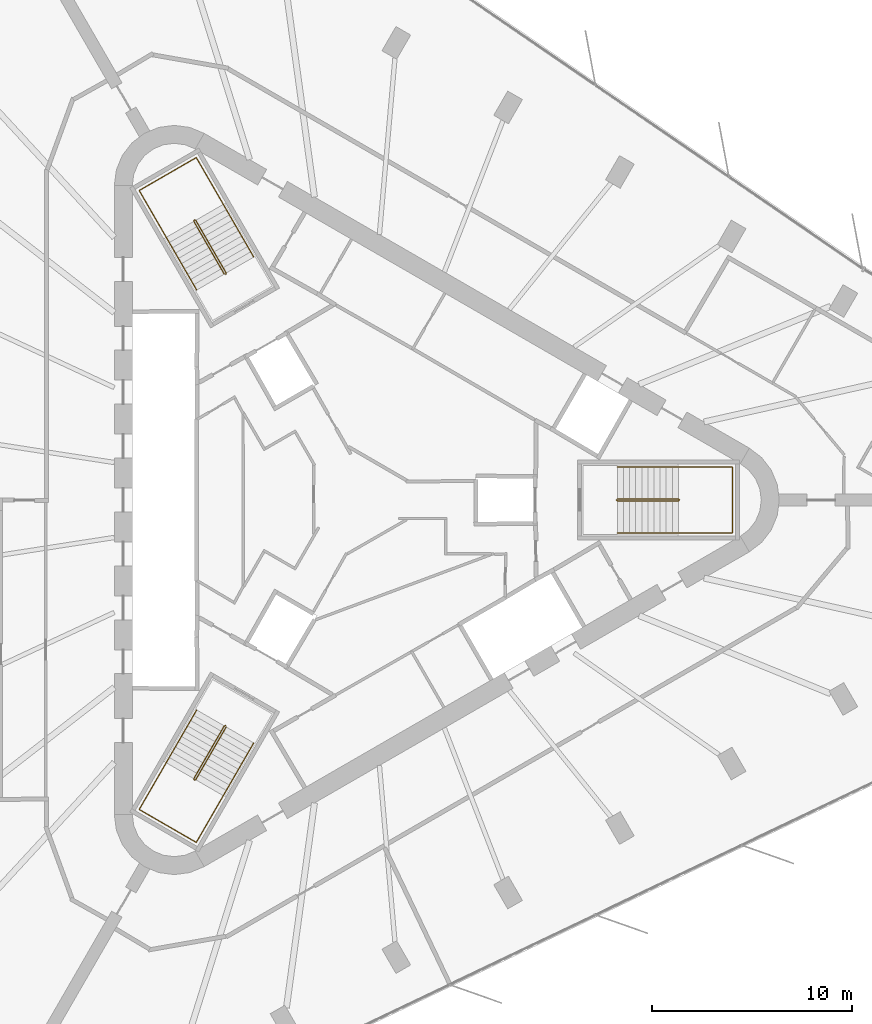
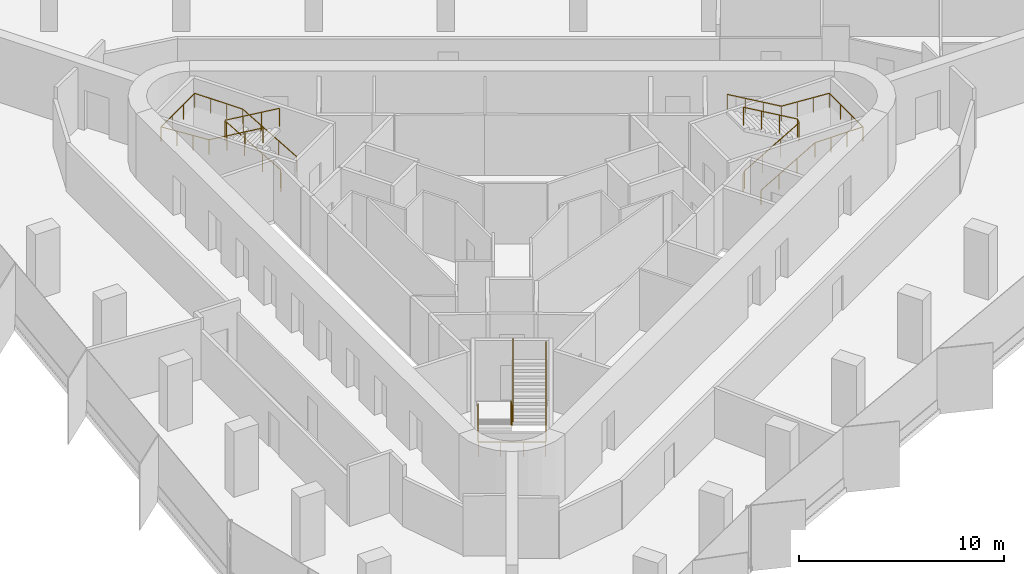
# One storey, part 14 of 14: 6 railings.
"""IFC4 building model written with IfcOpenShell, lengths in metres."""

from ifc_helpers import new_model, si_unit, direction, frame, origin, origin_2d, place, context, subcontext, project, spatial, circle, extrude, material, type_object, element, save


model = new_model("IFC4")

# Units and contexts
model_context = context("Model", 3, precision=1e-05, world=origin(), true_north=direction((0.0, 1.0)))
body_context = subcontext(model_context, "Body", "Model", "MODEL_VIEW")
ifc_project = project(units=[si_unit("LENGTHUNIT", "METRE"), si_unit("AREAUNIT", "SQUARE_METRE"), si_unit("VOLUMEUNIT", "CUBIC_METRE"), si_unit("PLANEANGLEUNIT", "RADIAN"), si_unit("MASSUNIT", "GRAM", prefix="KILO")], contexts=[model_context])

# Site, building, storey
site_placement = place(None, origin())
site = spatial("IfcSite", under=ifc_project, at=site_placement, CompositionType="ELEMENT")
building_placement = place(site_placement, origin())
building = spatial("IfcBuilding", under=site, at=building_placement, Name="Tanit Gate Tower", CompositionType="ELEMENT")
storey_placement = place(building_placement, frame((0.0, 0.0, 306.5)))
storey = spatial("IfcBuildingStorey", under=building, at=storey_placement, Name="L68", CompositionType="ELEMENT", Elevation=306.5)

# Railings
ifc_material_1 = material(Name="Stainless steel balustrade", Category="steel")
railing_type_1 = type_object("IfcRailingType", Name="INT-STAIR-GUARD", PredefinedType="GUARDRAIL", material=ifc_material_1)
railing_1_placement = place(storey_placement, frame((13.044921875, 0.0048828125, 0.0)))
element("IfcRailing", 1, at=railing_1_placement, inside=storey, type_object=railing_type_1, Name="L68 S1 stair guard 1", PredefinedType="GUARDRAIL", context=body_context, shape_type="SweptSolid", body=[
    extrude(circle(Radius=0.02392578125, at=origin_2d()), frame((0.0, 0.0, 1.076171875), z_axis=(0.0, -1.0, 0.0), x_axis=(1.0, 0.0, 0.0)), (0.0, 0.0, 1.0), 0.009765625),
    extrude(circle(Radius=0.02392578125, at=origin_2d()), frame((0.0, -0.009765625, 1.076171875), z_axis=(0.262233686654, -0.262233686654, 0.928691007369), x_axis=(0.707106781187, 0.707106781187, 0.0)), (0.0, 0.0, 1.0), 0.19091796875),
    extrude(circle(Radius=0.02392578125, at=origin_2d()), frame((0.050048828125, -0.059814453125, 1.25341796875), z_axis=(0.864648382064, 0.0, 0.502377522779), x_axis=(0.0, 1.0, 0.0)), (0.0, 0.0, 1.0), 3.528564453125),
    extrude(circle(Radius=0.02392578125, at=origin_2d()), frame((3.10107421875, -0.059814453125, 3.02587890625), z_axis=(0.707106781187, 0.707106781187, 0.0), x_axis=(-0.707106781187, 0.707106781187, 0.0)), (0.0, 0.0, 1.0), 0.07080078125),
    extrude(circle(Radius=0.02392578125, at=origin_2d()), frame((3.151123046875, -0.009765625, 3.02587890625), z_axis=(0.0, 1.0, 0.0), x_axis=(-1.0, 0.0, 0.0)), (0.0, 0.0, 1.0), 0.009765625),
    extrude(circle(Radius=0.02392578125, at=origin_2d()), frame((3.151123046875, 0.0, 3.02587890625), z_axis=(-0.262233686654, 0.262233686654, 0.928691007369), x_axis=(-0.707106781187, -0.707106781187, 0.0)), (0.0, 0.0, 1.0), 0.19091796875),
    extrude(circle(Radius=0.02392578125, at=origin_2d()), frame((3.10107421875, 0.050048828125, 3.203125), z_axis=(-0.864648382064, 0.0, 0.502377522779), x_axis=(0.0, -1.0, 0.0)), (0.0, 0.0, 1.0), 3.528564453125),
    extrude(circle(Radius=0.02099609375, at=origin_2d()), origin(), (0.0, 0.0, 1.0), 1.052001953125),
    extrude(circle(Radius=0.02099609375, at=origin_2d()), frame((0.0, -0.009765625, 0.0)), (0.0, 0.0, 1.0), 1.052001953125),
    extrude(circle(Radius=0.02099609375, at=origin_2d()), frame((0.050048828125, -0.059814453125, 0.17724609375)), (0.0, 0.0, 1.0), 1.052001953125),
    extrude(circle(Radius=0.02099609375, at=origin_2d()), frame((1.067138671875, -0.059814453125, 0.76806640625)), (0.0, 0.0, 1.0), 1.052001953125),
    extrude(circle(Radius=0.02099609375, at=origin_2d()), frame((2.083984375, -0.059814453125, 1.359130859375)), (0.0, 0.0, 1.0), 1.052001953125),
    extrude(circle(Radius=0.02099609375, at=origin_2d()), frame((3.10107421875, -0.059814453125, 1.949951171875)), (0.0, 0.0, 1.0), 1.052001953125),
    extrude(circle(Radius=0.02099609375, at=origin_2d()), frame((3.151123046875, -0.009765625, 1.949951171875)), (0.0, 0.0, 1.0), 1.052001953125),
    extrude(circle(Radius=0.02099609375, at=origin_2d()), frame((3.151123046875, 0.0, 1.949951171875)), (0.0, 0.0, 1.0), 1.052001953125),
    extrude(circle(Radius=0.02099609375, at=origin_2d()), frame((3.10107421875, 0.050048828125, 2.127197265625)), (0.0, 0.0, 1.0), 1.052001953125),
    extrude(circle(Radius=0.02099609375, at=origin_2d()), frame((2.083984375, 0.050048828125, 2.718017578125)), (0.0, 0.0, 1.0), 1.052001953125),
    extrude(circle(Radius=0.02099609375, at=origin_2d()), frame((1.067138671875, 0.050048828125, 3.30908203125)), (0.0, 0.0, 1.0), 1.052001953125),
    extrude(circle(Radius=0.02099609375, at=origin_2d()), frame((0.050048828125, 0.050048828125, 3.89990234375)), (0.0, 0.0, 1.0), 1.052001953125),
])
railing_2_placement = place(storey_placement, frame((-6.527099609375, 11.29345703125, 0.0)))
element("IfcRailing", 2, at=railing_2_placement, inside=storey, type_object=railing_type_1, Name="L68 S2 stair guard 1", PredefinedType="GUARDRAIL", context=body_context, shape_type="SweptSolid", body=[
    extrude(circle(Radius=0.02392578125, at=origin_2d()), frame((0.0, 0.0, 1.076171875), z_axis=(0.868243142124, 0.496138938357, 0.0), x_axis=(-0.496138938357, 0.868243142124, 0.0)), (0.0, 0.0, 1.0), 0.01171875),
    extrude(circle(Radius=0.02392578125, at=origin_2d()), frame((0.01025390625, 0.005859375, 1.076171875), z_axis=(0.095941116058, 0.358180166617, 0.928710003441), x_axis=(-0.965948051503, 0.258736085224, 0.0)), (0.0, 0.0, 1.0), 0.19091796875),
    extrude(circle(Radius=0.02392578125, at=origin_2d()), frame((0.028564453125, 0.07421875, 1.25341796875), z_axis=(-0.4322777601, 0.748681545756, 0.50260509465), x_axis=(-0.866012246495, -0.500022788402, 0.0)), (0.0, 0.0, 1.0), 3.527099609375),
    extrude(circle(Radius=0.02392578125, at=origin_2d()), frame((-1.49609375, 2.71484375, 3.02587890625), z_axis=(-0.965715946433, 0.259601060869, 0.0), x_axis=(-0.259601060869, -0.965715946433, 0.0)), (0.0, 0.0, 1.0), 0.070556640625),
    extrude(circle(Radius=0.02392578125, at=origin_2d()), frame((-1.564208984375, 2.733154296875, 3.02587890625), z_axis=(-0.873197702015, -0.487366159264, 0.0), x_axis=(0.487366159264, -0.873197702015, 0.0)), (0.0, 0.0, 1.0), 0.011962890625),
    extrude(circle(Radius=0.02392578125, at=origin_2d()), frame((-1.57470703125, 2.727294921875, 3.02587890625), z_axis=(-0.095941116058, -0.358180166617, 0.928710003441), x_axis=(0.965948051503, -0.258736085224, 0.0)), (0.0, 0.0, 1.0), 0.19091796875),
    extrude(circle(Radius=0.02392578125, at=origin_2d()), frame((-1.593017578125, 2.658935546875, 3.203125), z_axis=(0.4322777601, -0.748681545756, 0.50260509465), x_axis=(0.866012246495, 0.500022788402, 0.0)), (0.0, 0.0, 1.0), 3.527099609375),
    extrude(circle(Radius=0.02099609375, at=origin_2d()), origin(), (0.0, 0.0, 1.0), 1.052001953125),
    extrude(circle(Radius=0.02099609375, at=origin_2d()), frame((0.01025390625, 0.005859375, 0.0)), (0.0, 0.0, 1.0), 1.052001953125),
    extrude(circle(Radius=0.02099609375, at=origin_2d()), frame((0.028564453125, 0.07421875, 0.17724609375)), (0.0, 0.0, 1.0), 1.052001953125),
    extrude(circle(Radius=0.02099609375, at=origin_2d()), frame((-0.479736328125, 0.954345703125, 0.76806640625)), (0.0, 0.0, 1.0), 1.052001953125),
    extrude(circle(Radius=0.02099609375, at=origin_2d()), frame((-0.98779296875, 1.834716796875, 1.359130859375)), (0.0, 0.0, 1.0), 1.052001953125),
    extrude(circle(Radius=0.02099609375, at=origin_2d()), frame((-1.49609375, 2.71484375, 1.949951171875)), (0.0, 0.0, 1.0), 1.052001953125),
    extrude(circle(Radius=0.02099609375, at=origin_2d()), frame((-1.564208984375, 2.733154296875, 1.949951171875)), (0.0, 0.0, 1.0), 1.052001953125),
    extrude(circle(Radius=0.02099609375, at=origin_2d()), frame((-1.57470703125, 2.727294921875, 1.949951171875)), (0.0, 0.0, 1.0), 1.052001953125),
    extrude(circle(Radius=0.02099609375, at=origin_2d()), frame((-1.593017578125, 2.658935546875, 2.127197265625)), (0.0, 0.0, 1.0), 1.052001953125),
    extrude(circle(Radius=0.02099609375, at=origin_2d()), frame((-1.084716796875, 1.77880859375, 2.718017578125)), (0.0, 0.0, 1.0), 1.052001953125),
    extrude(circle(Radius=0.02099609375, at=origin_2d()), frame((-0.57666015625, 0.8984375, 3.30908203125)), (0.0, 0.0, 1.0), 1.052001953125),
    extrude(circle(Radius=0.02099609375, at=origin_2d()), frame((-0.068359375, 0.018310546875, 3.89990234375)), (0.0, 0.0, 1.0), 1.052001953125),
])
railing_3_placement = place(storey_placement, frame((-6.51806640625, -11.2998046875, 0.0)))
element("IfcRailing", 3, at=railing_3_placement, inside=storey, type_object=railing_type_1, Name="L68 S3 stair guard 1", PredefinedType="GUARDRAIL", context=body_context, shape_type="SweptSolid", body=[
    extrude(circle(Radius=0.02392578125, at=origin_2d()), frame((0.0, 0.0, 1.076171875), z_axis=(-0.874157276122, 0.485642931179, 0.0), x_axis=(-0.485642931179, -0.874157276122, 0.0)), (0.0, 0.0, 1.0), 0.010009765625),
    extrude(circle(Radius=0.02392578125, at=origin_2d()), frame((-0.0087890625, 0.0048828125, 1.076171875), z_axis=(-0.358223840744, -0.094673443625, 0.928823244215), x_axis=(0.255512919477, -0.966805641264, 0.0)), (0.0, 0.0, 1.0), 0.19091796875),
    extrude(circle(Radius=0.02392578125, at=origin_2d()), frame((-0.0771484375, -0.01318359375, 1.25341796875), z_axis=(-0.432289778901, -0.748827189027, 0.502377734411), x_axis=(0.866048339477, -0.499960272111, 0.0)), (0.0, 0.0, 1.0), 3.528564453125),
    extrude(circle(Radius=0.02392578125, at=origin_2d()), frame((-1.6025390625, -2.655517578125, 3.02587890625), z_axis=(0.258736085224, -0.965948051503, 0.0), x_axis=(0.965948051503, 0.258736085224, 0.0)), (0.0, 0.0, 1.0), 0.07080078125),
    extrude(circle(Radius=0.02392578125, at=origin_2d()), frame((-1.584228515625, -2.723876953125, 3.02587890625), z_axis=(0.868243142124, -0.496138938357, 0.0), x_axis=(0.496138938357, 0.868243142124, 0.0)), (0.0, 0.0, 1.0), 0.009765625),
    extrude(circle(Radius=0.02392578125, at=origin_2d()), frame((-1.57568359375, -2.728759765625, 3.02587890625), z_axis=(0.358180166617, 0.095941116058, 0.928710003441), x_axis=(-0.258736085224, 0.965948051503, 0.0)), (0.0, 0.0, 1.0), 0.19091796875),
    extrude(circle(Radius=0.02392578125, at=origin_2d()), frame((-1.50732421875, -2.71044921875, 3.203125), z_axis=(0.432368434633, 0.748774395838, 0.502388734816), x_axis=(-0.865993683553, 0.500054937028, 0.0)), (0.0, 0.0, 1.0), 3.528564453125),
    extrude(circle(Radius=0.02099609375, at=origin_2d()), origin(), (0.0, 0.0, 1.0), 1.052001953125),
    extrude(circle(Radius=0.02099609375, at=origin_2d()), frame((-0.0087890625, 0.0048828125, 0.0)), (0.0, 0.0, 1.0), 1.052001953125),
    extrude(circle(Radius=0.02099609375, at=origin_2d()), frame((-0.0771484375, -0.01318359375, 0.17724609375)), (0.0, 0.0, 1.0), 1.052001953125),
    extrude(circle(Radius=0.02099609375, at=origin_2d()), frame((-0.585693359375, -0.89404296875, 0.76806640625)), (0.0, 0.0, 1.0), 1.052001953125),
    extrude(circle(Radius=0.02099609375, at=origin_2d()), frame((-1.093994140625, -1.774658203125, 1.359130859375)), (0.0, 0.0, 1.0), 1.052001953125),
    extrude(circle(Radius=0.02099609375, at=origin_2d()), frame((-1.6025390625, -2.655517578125, 1.949951171875)), (0.0, 0.0, 1.0), 1.052001953125),
    extrude(circle(Radius=0.02099609375, at=origin_2d()), frame((-1.584228515625, -2.723876953125, 1.949951171875)), (0.0, 0.0, 1.0), 1.052001953125),
    extrude(circle(Radius=0.02099609375, at=origin_2d()), frame((-1.57568359375, -2.728759765625, 1.949951171875)), (0.0, 0.0, 1.0), 1.052001953125),
    extrude(circle(Radius=0.02099609375, at=origin_2d()), frame((-1.50732421875, -2.71044921875, 2.127197265625)), (0.0, 0.0, 1.0), 1.052001953125),
    extrude(circle(Radius=0.02099609375, at=origin_2d()), frame((-0.998779296875, -1.829833984375, 2.718017578125)), (0.0, 0.0, 1.0), 1.052001953125),
    extrude(circle(Radius=0.02099609375, at=origin_2d()), frame((-0.490234375, -0.948974609375, 3.30908203125)), (0.0, 0.0, 1.0), 1.052001953125),
    extrude(circle(Radius=0.02099609375, at=origin_2d()), frame((0.018310546875, -0.068359375, 3.89990234375)), (0.0, 0.0, 1.0), 1.052001953125),
])
ifc_material_2 = material(Name="Stainless steel handrail", Category="steel")
railing_type_2 = type_object("IfcRailingType", Name="INT-STAIR-HANDRAIL", PredefinedType="HANDRAIL", material=ifc_material_2)
railing_4_placement = place(storey_placement, frame((13.094970703125, -1.64990234375, 0.17724609375)))
element("IfcRailing", 4, at=railing_4_placement, inside=storey, type_object=railing_type_2, Name="L68 S1 stair handrail 1", PredefinedType="HANDRAIL", context=body_context, shape_type="SweptSolid", body=[
    extrude(circle(Radius=0.02392578125, at=origin_2d()), frame((0.0, 0.0, 0.8759765625), z_axis=(0.864648382064, 0.0, 0.502377522779), x_axis=(0.0, 1.0, 0.0)), (0.0, 0.0, 1.0), 3.528564453125),
    extrude(circle(Radius=0.02392578125, at=origin_2d()), frame((3.051025390625, 0.0, 2.6484375), z_axis=(1.0, 0.0, 0.0), x_axis=(0.0, 1.0, 0.0)), (0.0, 0.0, 1.0), 2.7041015625),
    extrude(circle(Radius=0.02392578125, at=origin_2d()), frame((5.755126953125, 0.0, 2.6484375), z_axis=(0.0, 1.0, 0.0), x_axis=(-1.0, 0.0, 0.0)), (0.0, 0.0, 1.0), 3.2998046875),
    extrude(circle(Radius=0.02392578125, at=origin_2d()), frame((5.755126953125, 3.2998046875, 2.6484375), z_axis=(-0.997858684482, 0.0, 0.065406771843), x_axis=(0.0, -1.0, 0.0)), (0.0, 0.0, 1.0), 2.7099609375),
    extrude(circle(Radius=0.02392578125, at=origin_2d()), frame((3.051025390625, 3.2998046875, 2.82568359375), z_axis=(-0.864648382064, 0.0, 0.502377522779), x_axis=(0.0, -1.0, 0.0)), (0.0, 0.0, 1.0), 3.528564453125),
    extrude(circle(Radius=0.02099609375, at=origin_2d()), origin(), (0.0, 0.0, 1.0), 0.851806640625),
    extrude(circle(Radius=0.02099609375, at=origin_2d()), frame((1.01708984375, 0.0, 0.5908203125)), (0.0, 0.0, 1.0), 0.851806640625),
    extrude(circle(Radius=0.02099609375, at=origin_2d()), frame((2.033935546875, 0.0, 1.181884765625)), (0.0, 0.0, 1.0), 0.851806640625),
    extrude(circle(Radius=0.02099609375, at=origin_2d()), frame((3.051025390625, 0.0, 1.772705078125)), (0.0, 0.0, 1.0), 0.851806640625),
    extrude(circle(Radius=0.02099609375, at=origin_2d()), frame((3.952392578125, 0.0, 1.772705078125)), (0.0, 0.0, 1.0), 0.851806640625),
    extrude(circle(Radius=0.02099609375, at=origin_2d()), frame((4.853759765625, 0.0, 1.772705078125)), (0.0, 0.0, 1.0), 0.851806640625),
    extrude(circle(Radius=0.02099609375, at=origin_2d()), frame((5.755126953125, 0.0, 1.772705078125)), (0.0, 0.0, 1.0), 0.851806640625),
    extrude(circle(Radius=0.02099609375, at=origin_2d()), frame((5.755126953125, 1.099853515625, 1.772705078125)), (0.0, 0.0, 1.0), 0.851806640625),
    extrude(circle(Radius=0.02099609375, at=origin_2d()), frame((5.755126953125, 2.199951171875, 1.772705078125)), (0.0, 0.0, 1.0), 0.851806640625),
    extrude(circle(Radius=0.02099609375, at=origin_2d()), frame((5.755126953125, 3.2998046875, 1.772705078125)), (0.0, 0.0, 1.0), 0.851806640625),
    extrude(circle(Radius=0.02099609375, at=origin_2d()), frame((4.853759765625, 3.2998046875, 1.831787109375)), (0.0, 0.0, 1.0), 0.851806640625),
    extrude(circle(Radius=0.02099609375, at=origin_2d()), frame((3.952392578125, 3.2998046875, 1.890869140625)), (0.0, 0.0, 1.0), 0.851806640625),
    extrude(circle(Radius=0.02099609375, at=origin_2d()), frame((3.051025390625, 3.2998046875, 1.949951171875)), (0.0, 0.0, 1.0), 0.851806640625),
    extrude(circle(Radius=0.02099609375, at=origin_2d()), frame((2.033935546875, 3.2998046875, 2.540771484375)), (0.0, 0.0, 1.0), 0.851806640625),
    extrude(circle(Radius=0.02099609375, at=origin_2d()), frame((1.01708984375, 3.2998046875, 3.1318359375)), (0.0, 0.0, 1.0), 0.851806640625),
    extrude(circle(Radius=0.02099609375, at=origin_2d()), frame((0.0, 3.2998046875, 3.72265625)), (0.0, 0.0, 1.0), 0.851806640625),
])
railing_5_placement = place(storey_placement, frame((-5.1181640625, 12.164794921875, 0.17724609375)))
element("IfcRailing", 5, at=railing_5_placement, inside=storey, type_object=railing_type_2, Name="L68 S2 stair handrail 1", PredefinedType="HANDRAIL", context=body_context, shape_type="SweptSolid", body=[
    extrude(circle(Radius=0.02392578125, at=origin_2d()), frame((0.0, 0.0, 0.8759765625), z_axis=(-0.432221472453, 0.748703947157, 0.502620133164), x_axis=(-0.866046917185, -0.499962735845, 0.0)), (0.0, 0.0, 1.0), 3.52685546875),
    extrude(circle(Radius=0.02392578125, at=origin_2d()), frame((-1.5244140625, 2.640625, 2.6484375), z_axis=(-0.500019123664, 0.86601436245, 0.0), x_axis=(-0.86601436245, -0.500019123664, 0.0)), (0.0, 0.0, 1.0), 2.70703125),
    extrude(circle(Radius=0.02392578125, at=origin_2d()), frame((-2.8779296875, 4.98486328125, 2.6484375), z_axis=(-0.866008176907, -0.50002983664, 0.0), x_axis=(0.50002983664, -0.866008176907, 0.0)), (0.0, 0.0, 1.0), 3.300048828125),
    extrude(circle(Radius=0.02392578125, at=origin_2d()), frame((-5.73583984375, 3.334716796875, 2.6484375), z_axis=(0.498989459885, -0.864141018102, 0.065343857842), x_axis=(0.865991810323, 0.500058181068, 0.0)), (0.0, 0.0, 1.0), 2.71240234375),
    extrude(circle(Radius=0.02392578125, at=origin_2d()), frame((-4.38232421875, 0.99072265625, 2.82568359375), z_axis=(0.432255358616, -0.748711963836, 0.502579048665), x_axis=(0.866032263162, 0.499988119021, 0.0)), (0.0, 0.0, 1.0), 3.527099609375),
    extrude(circle(Radius=0.02099609375, at=origin_2d()), origin(), (0.0, 0.0, 1.0), 0.851806640625),
    extrude(circle(Radius=0.02099609375, at=origin_2d()), frame((-0.508056640625, 0.880126953125, 0.5908203125)), (0.0, 0.0, 1.0), 0.851806640625),
    extrude(circle(Radius=0.02099609375, at=origin_2d()), frame((-1.016357421875, 1.760498046875, 1.181884765625)), (0.0, 0.0, 1.0), 0.851806640625),
    extrude(circle(Radius=0.02099609375, at=origin_2d()), frame((-1.5244140625, 2.640625, 1.772705078125)), (0.0, 0.0, 1.0), 0.851806640625),
    extrude(circle(Radius=0.02099609375, at=origin_2d()), frame((-1.9755859375, 3.422119140625, 1.772705078125)), (0.0, 0.0, 1.0), 0.851806640625),
    extrude(circle(Radius=0.02099609375, at=origin_2d()), frame((-2.4267578125, 4.203369140625, 1.772705078125)), (0.0, 0.0, 1.0), 0.851806640625),
    extrude(circle(Radius=0.02099609375, at=origin_2d()), frame((-2.8779296875, 4.98486328125, 1.772705078125)), (0.0, 0.0, 1.0), 0.851806640625),
    extrude(circle(Radius=0.02099609375, at=origin_2d()), frame((-3.83056640625, 4.434814453125, 1.772705078125)), (0.0, 0.0, 1.0), 0.851806640625),
    extrude(circle(Radius=0.02099609375, at=origin_2d()), frame((-4.783203125, 3.884765625, 1.772705078125)), (0.0, 0.0, 1.0), 0.851806640625),
    extrude(circle(Radius=0.02099609375, at=origin_2d()), frame((-5.73583984375, 3.334716796875, 1.772705078125)), (0.0, 0.0, 1.0), 0.851806640625),
    extrude(circle(Radius=0.02099609375, at=origin_2d()), frame((-5.28466796875, 2.553466796875, 1.831787109375)), (0.0, 0.0, 1.0), 0.851806640625),
    extrude(circle(Radius=0.02099609375, at=origin_2d()), frame((-4.83349609375, 1.77197265625, 1.890869140625)), (0.0, 0.0, 1.0), 0.851806640625),
    extrude(circle(Radius=0.02099609375, at=origin_2d()), frame((-4.38232421875, 0.99072265625, 1.949951171875)), (0.0, 0.0, 1.0), 0.851806640625),
    extrude(circle(Radius=0.02099609375, at=origin_2d()), frame((-3.8740234375, 0.1103515625, 2.540771484375)), (0.0, 0.0, 1.0), 0.851806640625),
    extrude(circle(Radius=0.02099609375, at=origin_2d()), frame((-3.365966796875, -0.769775390625, 3.1318359375)), (0.0, 0.0, 1.0), 0.851806640625),
    extrude(circle(Radius=0.02099609375, at=origin_2d()), frame((-2.857666015625, -1.650146484375, 3.72265625)), (0.0, 0.0, 1.0), 0.851806640625),
])
railing_6_placement = place(storey_placement, frame((-7.9765625, -10.515625, 0.17724609375)))
element("IfcRailing", 6, at=railing_6_placement, inside=storey, type_object=railing_type_2, Name="L68 S3 stair handrail 1", PredefinedType="HANDRAIL", context=body_context, shape_type="SweptSolid", body=[
    extrude(circle(Radius=0.02392578125, at=origin_2d()), frame((0.0, 0.0, 0.8759765625), z_axis=(-0.432289778901, -0.748827189027, 0.502377734411), x_axis=(0.866048339477, -0.499960272111, 0.0)), (0.0, 0.0, 1.0), 3.528564453125),
    extrude(circle(Radius=0.02392578125, at=origin_2d()), frame((-1.525390625, -2.642333984375, 2.6484375), z_axis=(-0.50004290449, -0.866000631449, 0.0), x_axis=(0.866000631449, -0.50004290449, 0.0)), (0.0, 0.0, 1.0), 2.703857421875),
    extrude(circle(Radius=0.02392578125, at=origin_2d()), frame((-2.87744140625, -4.98388671875, 2.6484375), z_axis=(0.866008176907, -0.50002983664, 0.0), x_axis=(0.50002983664, 0.866008176907, 0.0)), (0.0, 0.0, 1.0), 3.300048828125),
    extrude(circle(Radius=0.02392578125, at=origin_2d()), frame((-0.01953125, -6.634033203125, 2.6484375), z_axis=(0.498933124603, 0.864168748861, 0.065407267689), x_axis=(-0.866023205937, 0.500003806764, 0.0)), (0.0, 0.0, 1.0), 2.7099609375),
    extrude(circle(Radius=0.02392578125, at=origin_2d()), frame((1.33251953125, -4.292236328125, 2.82568359375), z_axis=(0.432289778901, 0.748827189027, 0.502377734411), x_axis=(-0.866048339477, 0.499960272111, 0.0)), (0.0, 0.0, 1.0), 3.528564453125),
    extrude(circle(Radius=0.02099609375, at=origin_2d()), origin(), (0.0, 0.0, 1.0), 0.851806640625),
    extrude(circle(Radius=0.02099609375, at=origin_2d()), frame((-0.508544921875, -0.880859375, 0.5908203125)), (0.0, 0.0, 1.0), 0.851806640625),
    extrude(circle(Radius=0.02099609375, at=origin_2d()), frame((-1.016845703125, -1.761474609375, 1.181884765625)), (0.0, 0.0, 1.0), 0.851806640625),
    extrude(circle(Radius=0.02099609375, at=origin_2d()), frame((-1.525390625, -2.642333984375, 1.772705078125)), (0.0, 0.0, 1.0), 0.851806640625),
    extrude(circle(Radius=0.02099609375, at=origin_2d()), frame((-1.97607421875, -3.4228515625, 1.772705078125)), (0.0, 0.0, 1.0), 0.851806640625),
    extrude(circle(Radius=0.02099609375, at=origin_2d()), frame((-2.4267578125, -4.203369140625, 1.772705078125)), (0.0, 0.0, 1.0), 0.851806640625),
    extrude(circle(Radius=0.02099609375, at=origin_2d()), frame((-2.87744140625, -4.98388671875, 1.772705078125)), (0.0, 0.0, 1.0), 0.851806640625),
    extrude(circle(Radius=0.02099609375, at=origin_2d()), frame((-1.9248046875, -5.533935546875, 1.772705078125)), (0.0, 0.0, 1.0), 0.851806640625),
    extrude(circle(Radius=0.02099609375, at=origin_2d()), frame((-0.97216796875, -6.083984375, 1.772705078125)), (0.0, 0.0, 1.0), 0.851806640625),
    extrude(circle(Radius=0.02099609375, at=origin_2d()), frame((-0.01953125, -6.634033203125, 1.772705078125)), (0.0, 0.0, 1.0), 0.851806640625),
    extrude(circle(Radius=0.02099609375, at=origin_2d()), frame((0.43115234375, -5.853515625, 1.831787109375)), (0.0, 0.0, 1.0), 0.851806640625),
    extrude(circle(Radius=0.02099609375, at=origin_2d()), frame((0.8818359375, -5.07275390625, 1.890869140625)), (0.0, 0.0, 1.0), 0.851806640625),
    extrude(circle(Radius=0.02099609375, at=origin_2d()), frame((1.33251953125, -4.292236328125, 1.949951171875)), (0.0, 0.0, 1.0), 0.851806640625),
    extrude(circle(Radius=0.02099609375, at=origin_2d()), frame((1.841064453125, -3.411376953125, 2.540771484375)), (0.0, 0.0, 1.0), 0.851806640625),
    extrude(circle(Radius=0.02099609375, at=origin_2d()), frame((2.349365234375, -2.53076171875, 3.1318359375)), (0.0, 0.0, 1.0), 0.851806640625),
    extrude(circle(Radius=0.02099609375, at=origin_2d()), frame((2.85791015625, -1.64990234375, 3.72265625)), (0.0, 0.0, 1.0), 0.851806640625),
])

save(model, "model.ifc")
